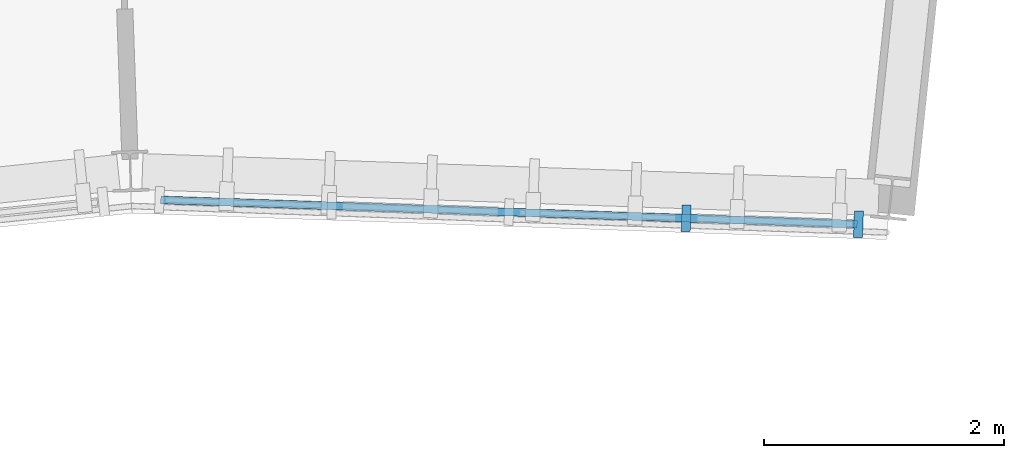
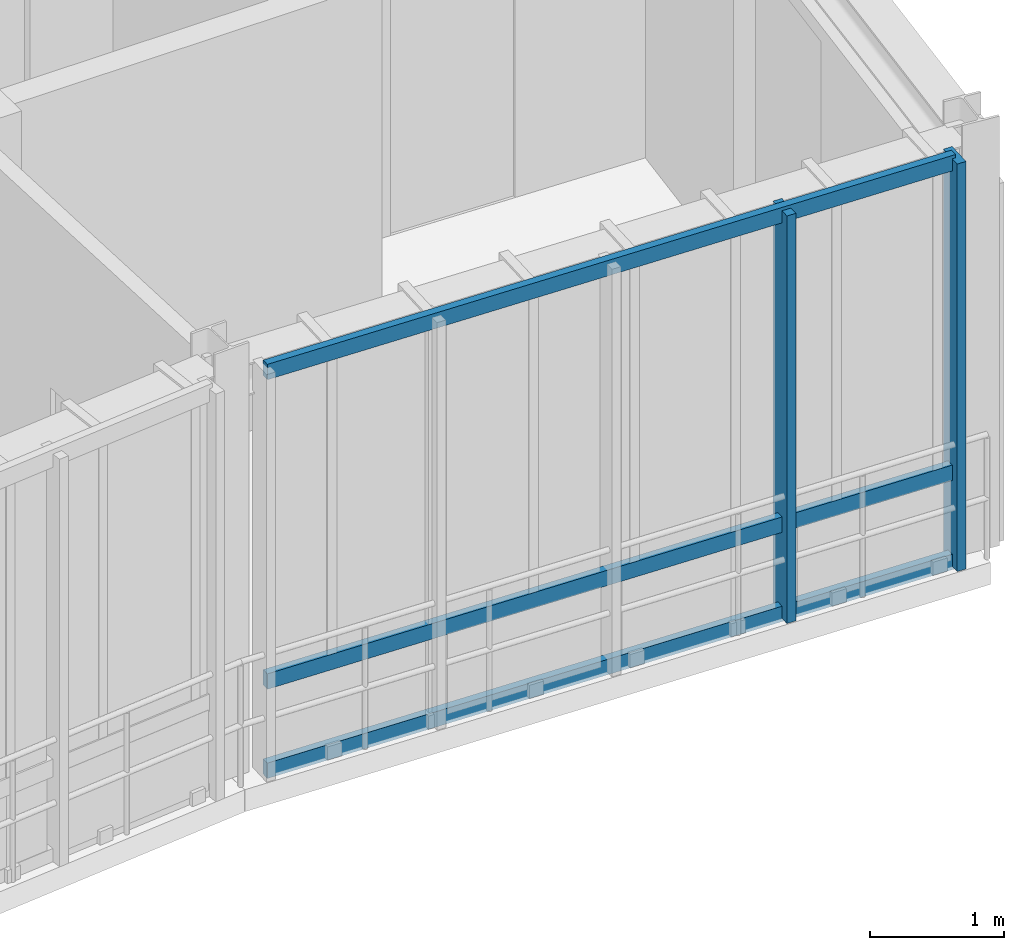
# One storey, part 14 of 41: 5 members, 1 element without a shape of its own.
"""IFC4 building model written with IfcOpenShell, lengths in metres."""

from ifc_helpers import new_model, si_unit, direction, frame, origin, origin_2d, place, context, subcontext, project, spatial, rectangle, extrude, material, layer, layer_set, material_profile, profile_set, type_object, element, aggregate, save


model = new_model("IFC4")

# Units and contexts
model_context = context("Model", 3, precision=1e-05, world=origin(), true_north=direction((0.0, 1.0)))
body_context = subcontext(model_context, "Body", "Model", "MODEL_VIEW")
ifc_project = project(units=[si_unit("LENGTHUNIT", "METRE"), si_unit("AREAUNIT", "SQUARE_METRE"), si_unit("VOLUMEUNIT", "CUBIC_METRE"), si_unit("PLANEANGLEUNIT", "RADIAN"), si_unit("MASSUNIT", "GRAM", prefix="KILO"), si_unit("THERMODYNAMICTEMPERATUREUNIT", "KELVIN"), si_unit("POWERUNIT", "WATT")], contexts=[model_context])

# Site, building, storey
site_placement = place(None, origin())
site = spatial("IfcSite", under=ifc_project, at=site_placement, CompositionType="ELEMENT")
building_placement = place(site_placement, origin())
building = spatial("IfcBuilding", under=site, at=building_placement, Name="Solvatero Civic Police Headquarters", CompositionType="ELEMENT")
storey_placement = place(building_placement, frame((0.0, 0.0, 17.699951171875)))
storey = spatial("IfcBuildingStorey", under=building, at=storey_placement, Name="L04", CompositionType="ELEMENT", Elevation=17.699951171875)

# Curtain wall, members
ifc_material = material(Name="Anodized Bronze Aluminium", Category="aluminium")
ifc_layer = layer(ifc_material, 0.179931640625)
ifc_layer_set = layer_set([ifc_layer], Name="Anodized Bronze Aluminium")
curtain_wall_type = type_object("IfcCurtainWallType", Name="CW-ARC-IN", PredefinedType="USERDEFINED", material=ifc_layer_set)
curtain_wall_placement = place(storey_placement, origin())
curtain_wall = element("IfcCurtainWall", 1, at=curtain_wall_placement, inside=storey, type_object=curtain_wall_type, Name="Curtain Wall CW-R2-L04-ARC-IN-B01", ObjectType="UNITISED", PredefinedType="USERDEFINED")
ifc_material_profile_1 = material_profile(ifc_material, rectangle(XDim=0.074951171875, YDim=0.219970703125, at=origin_2d()), Name="ALU MULLION 75x220")
ifc_profile_set_1 = profile_set([ifc_material_profile_1], Name="Anodized Bronze Aluminium")
member_type_1 = type_object("IfcMemberType", Name="CWM-250x85", PredefinedType="MULLION", material=ifc_profile_set_1)
member_1_placement = place(storey_placement, frame((98.472412109375, 70.88134765625, 0.0), z_axis=(0.0, 0.0, 1.0), x_axis=(-0.999390827019, 0.034899496703, 0.0)))
member_1 = element("IfcMember", 2, at=member_1_placement, type_object=member_type_1, Name="CW-R2-L04-ARC-IN-B01 Mullion 1", PredefinedType="MULLION", context=body_context, shape_type="SweptSolid", body=[
    extrude(rectangle(XDim=0.074951171875, YDim=0.219970703125, at=origin_2d()), origin(), (0.0, 0.0, 1.0), 3.699951171875),
])
member_2_placement = place(storey_placement, frame((97.039306640625, 70.931396484375, 0.0), z_axis=(0.0, 0.0, 1.0), x_axis=(-0.999390827019, 0.034899496703, 0.0)))
member_2 = element("IfcMember", 3, at=member_2_placement, type_object=member_type_1, Name="CW-R2-L04-ARC-IN-B01 Mullion 2", PredefinedType="MULLION", context=body_context, shape_type="SweptSolid", body=[
    extrude(rectangle(XDim=0.074951171875, YDim=0.219970703125, at=origin_2d()), origin(), (0.0, 0.0, 1.0), 3.699951171875),
])
ifc_material_profile_2 = material_profile(ifc_material, rectangle(XDim=0.06494140625, YDim=0.139892578125, at=origin_2d()), Name="ALU TRANSOM 65x140")
ifc_profile_set_2 = profile_set([ifc_material_profile_2], Name="Anodized Bronze Aluminium")
member_type_2 = type_object("IfcMemberType", Name="CWT-180x70", PredefinedType="USERDEFINED", material=ifc_profile_set_2)
member_3_placement = place(storey_placement, frame((98.46240234375, 70.881591796875, 0.0400390625), z_axis=(-0.999390290641, 0.034914853173, 0.0), x_axis=(-0.034914853173, -0.999390290641, 0.0)))
member_3 = element("IfcMember", 4, at=member_3_placement, type_object=member_type_2, Name="CW-R2-L04-ARC-IN-B01 Transom 1", ObjectType="TRANSOM", PredefinedType="USERDEFINED", context=body_context, shape_type="SweptSolid", body=[
    extrude(rectangle(XDim=0.06494140625, YDim=0.139892578125, at=origin_2d()), origin(), (0.0, 0.0, 1.0), 5.796630859375),
])
member_4_placement = place(storey_placement, frame((98.46240234375, 70.881591796875, 0.85009765625), z_axis=(-0.999390290641, 0.034914853173, 0.0), x_axis=(-0.034914853173, -0.999390290641, 0.0)))
member_4 = element("IfcMember", 5, at=member_4_placement, type_object=member_type_2, Name="CW-R2-L04-ARC-IN-B01 Transom 2", ObjectType="TRANSOM", PredefinedType="USERDEFINED", context=body_context, shape_type="SweptSolid", body=[
    extrude(rectangle(XDim=0.06494140625, YDim=0.139892578125, at=origin_2d()), origin(), (0.0, 0.0, 1.0), 5.796630859375),
])
member_5_placement = place(storey_placement, frame((98.46240234375, 70.881591796875, 3.66015625), z_axis=(-0.999390290641, 0.034914853173, 0.0), x_axis=(-0.034914853173, -0.999390290641, 0.0)))
member_5 = element("IfcMember", 6, at=member_5_placement, type_object=member_type_2, Name="CW-R2-L04-ARC-IN-B01 Transom 3", ObjectType="TRANSOM", PredefinedType="USERDEFINED", context=body_context, shape_type="SweptSolid", body=[
    extrude(rectangle(XDim=0.06494140625, YDim=0.139892578125, at=origin_2d()), origin(), (0.0, 0.0, 1.0), 5.796630859375),
])
aggregate(curtain_wall, [member_1, member_2, member_3, member_4, member_5])

save(model, "model.ifc")
